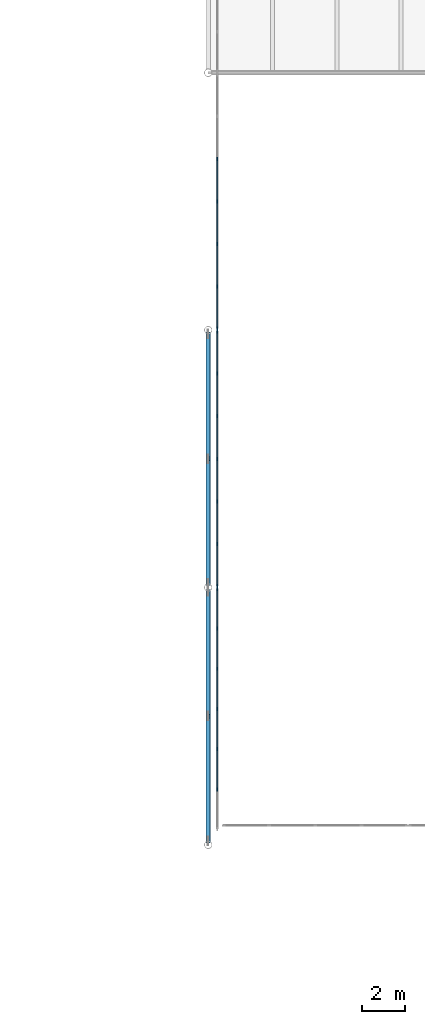
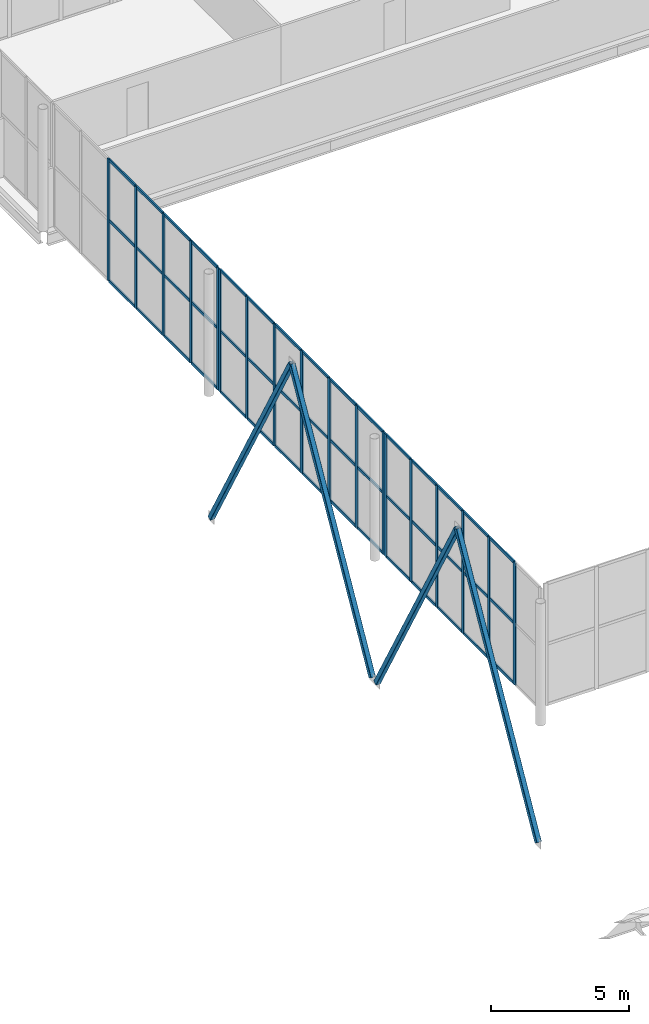
# One storey, part 77 of 170: 67 members, 3 elements without a shape of their own.
"""IFC4 building model written with IfcOpenShell, lengths in metres."""

from ifc_helpers import new_model, si_unit, direction, frame, origin, origin_2d, place, context, subcontext, project, spatial, rectangle, hollow_rectangle, extrude, material, layer, layer_set, material_profile, profile_set, type_object, element, aggregate, save


model = new_model("IFC4")

# Units and contexts
model_context = context("Model", 3, precision=1e-05, world=origin(), true_north=direction((0.0, 1.0)))
body_context = subcontext(model_context, "Body", "Model", "MODEL_VIEW")
ifc_project = project(units=[si_unit("LENGTHUNIT", "METRE"), si_unit("AREAUNIT", "SQUARE_METRE"), si_unit("VOLUMEUNIT", "CUBIC_METRE"), si_unit("PLANEANGLEUNIT", "RADIAN"), si_unit("MASSUNIT", "GRAM", prefix="KILO")], contexts=[model_context])

# Site, building, storey
site_placement = place(None, origin())
site = spatial("IfcSite", under=ifc_project, at=site_placement, CompositionType="ELEMENT")
building_placement = place(site_placement, origin())
building = spatial("IfcBuilding", under=site, at=building_placement, Name="Ravi Spectrum Wholesale Market", CompositionType="ELEMENT")
storey_placement = place(building_placement, frame((0.0, 0.0, 5.39990234375)))
storey = spatial("IfcBuildingStorey", under=building, at=storey_placement, Name="L01", CompositionType="ELEMENT", Elevation=5.39990234375)

# Curtain wall, members
ifc_material_1 = material(Name="Aluminium 6063-T6", Category="aluminium")
ifc_layer = layer(ifc_material_1, 0.14990234375)
ifc_layer_set = layer_set([ifc_layer], Name="Aluminium 6063-T6")
curtain_wall_type = type_object("IfcCurtainWallType", Name="Curtain wall 150", PredefinedType="NOTDEFINED", material=ifc_layer_set)
curtain_wall_1_placement = place(storey_placement, origin())
curtain_wall_1 = element("IfcCurtainWall", 1, at=curtain_wall_1_placement, inside=storey, type_object=curtain_wall_type, Name="H3-CW-L01-001", PredefinedType="NOTDEFINED")
ifc_material_2 = material(Name="Aluminium 6063-T6", Category="aluminium")
ifc_material_profile_1 = material_profile(ifc_material_2, rectangle(XDim=0.06005859375, YDim=0.159912109375, at=origin_2d()))
ifc_profile_set_1 = profile_set([ifc_material_profile_1], Name="Aluminium 6063-T6")
member_type_1 = type_object("IfcMemberType", Name="Mullion 60 x 160", PredefinedType="MULLION", material=ifc_profile_set_1)
member_1_placement = place(storey_placement, frame((162.427734375, 140.5849609375, 0.0), z_axis=(0.0, 0.0, 1.0), x_axis=(-1.0, 0.0, 0.0)))
member_1 = element("IfcMember", 2, at=member_1_placement, type_object=member_type_1, Name="H3-CW-L01-001 mullion 2", PredefinedType="MULLION", context=body_context, shape_type="SweptSolid", body=[
    extrude(rectangle(XDim=0.06005859375, YDim=0.159912109375, at=origin_2d()), origin(), (0.0, 0.0, 1.0), 5.400146484375),
])
member_2_placement = place(storey_placement, frame((162.427734375, 142.4599609375, 0.0), z_axis=(0.0, 0.0, 1.0), x_axis=(-1.0, 0.0, 0.0)))
member_2 = element("IfcMember", 3, at=member_2_placement, type_object=member_type_1, Name="H3-CW-L01-001 mullion 3", PredefinedType="MULLION", context=body_context, shape_type="SweptSolid", body=[
    extrude(rectangle(XDim=0.06005859375, YDim=0.159912109375, at=origin_2d()), origin(), (0.0, 0.0, 1.0), 5.400146484375),
])
member_3_placement = place(storey_placement, frame((162.427734375, 144.3349609375, 0.0), z_axis=(0.0, 0.0, 1.0), x_axis=(-1.0, 0.0, 0.0)))
member_3 = element("IfcMember", 4, at=member_3_placement, type_object=member_type_1, Name="H3-CW-L01-001 mullion 4", PredefinedType="MULLION", context=body_context, shape_type="SweptSolid", body=[
    extrude(rectangle(XDim=0.06005859375, YDim=0.159912109375, at=origin_2d()), origin(), (0.0, 0.0, 1.0), 5.400146484375),
])
member_4_placement = place(storey_placement, frame((162.427734375, 146.2099609375, 0.0), z_axis=(0.0, 0.0, 1.0), x_axis=(-1.0, 0.0, 0.0)))
member_4 = element("IfcMember", 5, at=member_4_placement, type_object=member_type_1, Name="H3-CW-L01-001 mullion 5", PredefinedType="MULLION", context=body_context, shape_type="SweptSolid", body=[
    extrude(rectangle(XDim=0.06005859375, YDim=0.159912109375, at=origin_2d()), origin(), (0.0, 0.0, 1.0), 5.400146484375),
])
member_5_placement = place(storey_placement, frame((162.427734375, 148.0849609375, 0.0), z_axis=(0.0, 0.0, 1.0), x_axis=(-1.0, 0.0, 0.0)))
member_5 = element("IfcMember", 6, at=member_5_placement, type_object=member_type_1, Name="H3-CW-L01-001 mullion 6", PredefinedType="MULLION", context=body_context, shape_type="SweptSolid", body=[
    extrude(rectangle(XDim=0.06005859375, YDim=0.159912109375, at=origin_2d()), origin(), (0.0, 0.0, 1.0), 5.400146484375),
])
member_6_placement = place(storey_placement, frame((162.427734375, 149.929931640625, 0.0), z_axis=(0.0, 0.0, 1.0), x_axis=(-1.0, 0.0, 0.0)))
member_6 = element("IfcMember", 7, at=member_6_placement, type_object=member_type_1, Name="H3-CW-L01-001 mullion 7", PredefinedType="MULLION", context=body_context, shape_type="SweptSolid", body=[
    extrude(rectangle(XDim=0.06005859375, YDim=0.159912109375, at=origin_2d()), origin(), (0.0, 0.0, 1.0), 5.400146484375),
])

curtain_wall_2_placement = place(storey_placement, origin())
curtain_wall_2 = element("IfcCurtainWall", 8, at=curtain_wall_2_placement, inside=storey, type_object=curtain_wall_type, Name="H3-CW-L01-002", PredefinedType="NOTDEFINED")
member_7_placement = place(storey_placement, frame((162.427734375, 150.070068359375, 0.0), z_axis=(0.0, 0.0, 1.0), x_axis=(-1.0, 0.0, 0.0)))
member_7 = element("IfcMember", 9, at=member_7_placement, type_object=member_type_1, Name="H3-CW-L01-002 mullion 1", PredefinedType="MULLION", context=body_context, shape_type="SweptSolid", body=[
    extrude(rectangle(XDim=0.06005859375, YDim=0.159912109375, at=origin_2d()), origin(), (0.0, 0.0, 1.0), 5.400146484375),
])
member_8_placement = place(storey_placement, frame((162.427734375, 152.026611328125, 0.0), z_axis=(0.0, 0.0, 1.0), x_axis=(-1.0, 0.0, 0.0)))
member_8 = element("IfcMember", 10, at=member_8_placement, type_object=member_type_1, Name="H3-CW-L01-002 mullion 2", PredefinedType="MULLION", context=body_context, shape_type="SweptSolid", body=[
    extrude(rectangle(XDim=0.06005859375, YDim=0.159912109375, at=origin_2d()), origin(), (0.0, 0.0, 1.0), 5.400146484375),
])
member_9_placement = place(storey_placement, frame((162.427734375, 154.013427734375, 0.0), z_axis=(0.0, 0.0, 1.0), x_axis=(-1.0, 0.0, 0.0)))
member_9 = element("IfcMember", 11, at=member_9_placement, type_object=member_type_1, Name="H3-CW-L01-002 mullion 3", PredefinedType="MULLION", context=body_context, shape_type="SweptSolid", body=[
    extrude(rectangle(XDim=0.06005859375, YDim=0.159912109375, at=origin_2d()), origin(), (0.0, 0.0, 1.0), 5.400146484375),
])
member_10_placement = place(storey_placement, frame((162.427734375, 156.0, 0.0), z_axis=(0.0, 0.0, 1.0), x_axis=(-1.0, 0.0, 0.0)))
member_10 = element("IfcMember", 12, at=member_10_placement, type_object=member_type_1, Name="H3-CW-L01-002 mullion 4", PredefinedType="MULLION", context=body_context, shape_type="SweptSolid", body=[
    extrude(rectangle(XDim=0.06005859375, YDim=0.159912109375, at=origin_2d()), origin(), (0.0, 0.0, 1.0), 5.400146484375),
])
member_11_placement = place(storey_placement, frame((162.427734375, 157.986572265625, 0.0), z_axis=(0.0, 0.0, 1.0), x_axis=(-1.0, 0.0, 0.0)))
member_11 = element("IfcMember", 13, at=member_11_placement, type_object=member_type_1, Name="H3-CW-L01-002 mullion 5", PredefinedType="MULLION", context=body_context, shape_type="SweptSolid", body=[
    extrude(rectangle(XDim=0.06005859375, YDim=0.159912109375, at=origin_2d()), origin(), (0.0, 0.0, 1.0), 5.400146484375),
])
member_12_placement = place(storey_placement, frame((162.427734375, 159.973388671875, 0.0), z_axis=(0.0, 0.0, 1.0), x_axis=(-1.0, 0.0, 0.0)))
member_12 = element("IfcMember", 14, at=member_12_placement, type_object=member_type_1, Name="H3-CW-L01-002 mullion 6", PredefinedType="MULLION", context=body_context, shape_type="SweptSolid", body=[
    extrude(rectangle(XDim=0.06005859375, YDim=0.159912109375, at=origin_2d()), origin(), (0.0, 0.0, 1.0), 5.400146484375),
])
member_13_placement = place(storey_placement, frame((162.427734375, 161.929931640625, 0.0), z_axis=(0.0, 0.0, 1.0), x_axis=(-1.0, 0.0, 0.0)))
member_13 = element("IfcMember", 15, at=member_13_placement, type_object=member_type_1, Name="H3-CW-L01-002 mullion 7", PredefinedType="MULLION", context=body_context, shape_type="SweptSolid", body=[
    extrude(rectangle(XDim=0.06005859375, YDim=0.159912109375, at=origin_2d()), origin(), (0.0, 0.0, 1.0), 5.400146484375),
])

curtain_wall_3_placement = place(storey_placement, origin())
curtain_wall_3 = element("IfcCurtainWall", 16, at=curtain_wall_3_placement, inside=storey, type_object=curtain_wall_type, Name="H3-CW-L01-003", PredefinedType="NOTDEFINED")
member_14_placement = place(storey_placement, frame((162.427734375, 162.070068359375, 0.0), z_axis=(0.0, 0.0, 1.0), x_axis=(-1.0, 0.0, 0.0)))
member_14 = element("IfcMember", 17, at=member_14_placement, type_object=member_type_1, Name="H3-CW-L01-003 mullion 1", PredefinedType="MULLION", context=body_context, shape_type="SweptSolid", body=[
    extrude(rectangle(XDim=0.06005859375, YDim=0.159912109375, at=origin_2d()), origin(), (0.0, 0.0, 1.0), 5.400146484375),
])
member_15_placement = place(storey_placement, frame((162.427734375, 164.026611328125, 0.0), z_axis=(0.0, 0.0, 1.0), x_axis=(-1.0, 0.0, 0.0)))
member_15 = element("IfcMember", 18, at=member_15_placement, type_object=member_type_1, Name="H3-CW-L01-003 mullion 2", PredefinedType="MULLION", context=body_context, shape_type="SweptSolid", body=[
    extrude(rectangle(XDim=0.06005859375, YDim=0.159912109375, at=origin_2d()), origin(), (0.0, 0.0, 1.0), 5.400146484375),
])
member_16_placement = place(storey_placement, frame((162.427734375, 166.013427734375, 0.0), z_axis=(0.0, 0.0, 1.0), x_axis=(-1.0, 0.0, 0.0)))
member_16 = element("IfcMember", 19, at=member_16_placement, type_object=member_type_1, Name="H3-CW-L01-003 mullion 3", PredefinedType="MULLION", context=body_context, shape_type="SweptSolid", body=[
    extrude(rectangle(XDim=0.06005859375, YDim=0.159912109375, at=origin_2d()), origin(), (0.0, 0.0, 1.0), 5.400146484375),
])
member_17_placement = place(storey_placement, frame((162.427734375, 168.0, 0.0), z_axis=(0.0, 0.0, 1.0), x_axis=(-1.0, 0.0, 0.0)))
member_17 = element("IfcMember", 20, at=member_17_placement, type_object=member_type_1, Name="H3-CW-L01-003 mullion 4", PredefinedType="MULLION", context=body_context, shape_type="SweptSolid", body=[
    extrude(rectangle(XDim=0.06005859375, YDim=0.159912109375, at=origin_2d()), origin(), (0.0, 0.0, 1.0), 5.400146484375),
])
member_18_placement = place(storey_placement, frame((162.427734375, 169.986572265625, 0.0), z_axis=(0.0, 0.0, 1.0), x_axis=(-1.0, 0.0, 0.0)))
member_18 = element("IfcMember", 21, at=member_18_placement, type_object=member_type_1, Name="H3-CW-L01-003 mullion 5", PredefinedType="MULLION", context=body_context, shape_type="SweptSolid", body=[
    extrude(rectangle(XDim=0.06005859375, YDim=0.159912109375, at=origin_2d()), origin(), (0.0, 0.0, 1.0), 5.400146484375),
])

# Members
ifc_material_3 = material(Name="Steel S355", Category="steel")
ifc_material_profile_2 = material_profile(ifc_material_3, hollow_rectangle(XDim=0.199951171875, YDim=0.199951171875, WallThickness=0.008056640625, InnerFilletRadius=0.008056640625, OuterFilletRadius=0.01611328125, at=origin_2d()))
ifc_profile_set_2 = profile_set([ifc_material_profile_2], Name="Steel S355")
member_type_2 = type_object("IfcMemberType", Name="SHS 200x200x8 brace", PredefinedType="BRACE", material=ifc_profile_set_2)
for number, where, z_axis, x_axis, name in (
    (22, (162.0, 138.177734375, -5.3505859375), (0.0, 0.491162536596, 0.871067943759), (-1.0, 0.0, 0.0), "H3-MB-L01-001"),
    (23, (162.0, 149.822265625, -5.3505859375), (0.0, -0.491162536596, 0.871067943759), (1.0, 0.0, 0.0), "H3-MB-L01-002"),
    (24, (162.0, 150.177734375, -5.3505859375), (0.0, 0.491162536596, 0.871067943759), (-1.0, 0.0, 0.0), "H3-MB-L01-003"),
    (25, (162.0, 161.822265625, -5.3505859375), (0.0, -0.491162536596, 0.871067943759), (1.0, 0.0, 0.0), "H3-MB-L01-004"),
):
    element("IfcMember", number, at=place(storey_placement, frame(where, z_axis=z_axis, x_axis=x_axis)), inside=storey, type_object=member_type_2, Name=name, PredefinedType="BRACE", context=body_context, shape_type="SweptSolid", body=[
        extrude(hollow_rectangle(XDim=0.199951171875, YDim=0.199951171875, WallThickness=0.008056640625, InnerFilletRadius=0.008056640625, OuterFilletRadius=0.01611328125, at=origin_2d()), origin(), (0.0, 0.0, 1.0), 11.85400390625),
    ])

# Member
ifc_material_4 = material(Name="Aluminium 6063-T6", Category="aluminium")
ifc_material_profile_3 = material_profile(ifc_material_4, rectangle(XDim=0.06005859375, YDim=0.1201171875, at=origin_2d()))
ifc_profile_set_3 = profile_set([ifc_material_profile_3], Name="Aluminium 6063-T6")
member_type_3 = type_object("IfcMemberType", Name="Transom 60 x 120", PredefinedType="USERDEFINED", material=ifc_profile_set_3)
member_19_placement = place(storey_placement, frame((162.427734375, 140.614990234375, 0.030029296875), z_axis=(0.0, 1.0, 0.0), x_axis=(-1.0, 0.0, 0.0)))
member_19 = element("IfcMember", 26, at=member_19_placement, type_object=member_type_3, Name="H3-CW-L01-001 transom 2.1", ObjectType="TRANSOM", PredefinedType="USERDEFINED", context=body_context, shape_type="SweptSolid", body=[
    extrude(rectangle(XDim=0.06005859375, YDim=0.1201171875, at=origin_2d()), origin(), (0.0, 0.0, 1.0), 1.81494140625),
])

member_20_placement = place(storey_placement, frame((162.427734375, 140.614990234375, 2.7001953125), z_axis=(0.0, 1.0, 0.0), x_axis=(-1.0, 0.0, 0.0)))
member_20 = element("IfcMember", 27, at=member_20_placement, type_object=member_type_3, Name="H3-CW-L01-001 transom 2.2", ObjectType="TRANSOM", PredefinedType="USERDEFINED", context=body_context, shape_type="SweptSolid", body=[
    extrude(rectangle(XDim=0.06005859375, YDim=0.1201171875, at=origin_2d()), origin(), (0.0, 0.0, 1.0), 1.81494140625),
])

member_21_placement = place(storey_placement, frame((162.427734375, 140.614990234375, 5.3701171875), z_axis=(0.0, 1.0, 0.0), x_axis=(-1.0, 0.0, 0.0)))
member_21 = element("IfcMember", 28, at=member_21_placement, type_object=member_type_3, Name="H3-CW-L01-001 transom 2.3", ObjectType="TRANSOM", PredefinedType="USERDEFINED", context=body_context, shape_type="SweptSolid", body=[
    extrude(rectangle(XDim=0.06005859375, YDim=0.1201171875, at=origin_2d()), origin(), (0.0, 0.0, 1.0), 1.81494140625),
])

member_22_placement = place(storey_placement, frame((162.427734375, 142.489990234375, 0.030029296875), z_axis=(0.0, 1.0, 0.0), x_axis=(-1.0, 0.0, 0.0)))
member_22 = element("IfcMember", 29, at=member_22_placement, type_object=member_type_3, Name="H3-CW-L01-001 transom 3.1", ObjectType="TRANSOM", PredefinedType="USERDEFINED", context=body_context, shape_type="SweptSolid", body=[
    extrude(rectangle(XDim=0.06005859375, YDim=0.1201171875, at=origin_2d()), origin(), (0.0, 0.0, 1.0), 1.81494140625),
])

member_23_placement = place(storey_placement, frame((162.427734375, 142.489990234375, 2.7001953125), z_axis=(0.0, 1.0, 0.0), x_axis=(-1.0, 0.0, 0.0)))
member_23 = element("IfcMember", 30, at=member_23_placement, type_object=member_type_3, Name="H3-CW-L01-001 transom 3.2", ObjectType="TRANSOM", PredefinedType="USERDEFINED", context=body_context, shape_type="SweptSolid", body=[
    extrude(rectangle(XDim=0.06005859375, YDim=0.1201171875, at=origin_2d()), origin(), (0.0, 0.0, 1.0), 1.81494140625),
])

member_24_placement = place(storey_placement, frame((162.427734375, 142.489990234375, 5.3701171875), z_axis=(0.0, 1.0, 0.0), x_axis=(-1.0, 0.0, 0.0)))
member_24 = element("IfcMember", 31, at=member_24_placement, type_object=member_type_3, Name="H3-CW-L01-001 transom 3.3", ObjectType="TRANSOM", PredefinedType="USERDEFINED", context=body_context, shape_type="SweptSolid", body=[
    extrude(rectangle(XDim=0.06005859375, YDim=0.1201171875, at=origin_2d()), origin(), (0.0, 0.0, 1.0), 1.81494140625),
])

member_25_placement = place(storey_placement, frame((162.427734375, 144.364990234375, 0.030029296875), z_axis=(0.0, 1.0, 0.0), x_axis=(-1.0, 0.0, 0.0)))
member_25 = element("IfcMember", 32, at=member_25_placement, type_object=member_type_3, Name="H3-CW-L01-001 transom 4.1", ObjectType="TRANSOM", PredefinedType="USERDEFINED", context=body_context, shape_type="SweptSolid", body=[
    extrude(rectangle(XDim=0.06005859375, YDim=0.1201171875, at=origin_2d()), origin(), (0.0, 0.0, 1.0), 1.81494140625),
])

member_26_placement = place(storey_placement, frame((162.427734375, 144.364990234375, 2.7001953125), z_axis=(0.0, 1.0, 0.0), x_axis=(-1.0, 0.0, 0.0)))
member_26 = element("IfcMember", 33, at=member_26_placement, type_object=member_type_3, Name="H3-CW-L01-001 transom 4.2", ObjectType="TRANSOM", PredefinedType="USERDEFINED", context=body_context, shape_type="SweptSolid", body=[
    extrude(rectangle(XDim=0.06005859375, YDim=0.1201171875, at=origin_2d()), origin(), (0.0, 0.0, 1.0), 1.81494140625),
])

member_27_placement = place(storey_placement, frame((162.427734375, 144.364990234375, 5.3701171875), z_axis=(0.0, 1.0, 0.0), x_axis=(-1.0, 0.0, 0.0)))
member_27 = element("IfcMember", 34, at=member_27_placement, type_object=member_type_3, Name="H3-CW-L01-001 transom 4.3", ObjectType="TRANSOM", PredefinedType="USERDEFINED", context=body_context, shape_type="SweptSolid", body=[
    extrude(rectangle(XDim=0.06005859375, YDim=0.1201171875, at=origin_2d()), origin(), (0.0, 0.0, 1.0), 1.81494140625),
])

member_28_placement = place(storey_placement, frame((162.427734375, 146.239990234375, 0.030029296875), z_axis=(0.0, 1.0, 0.0), x_axis=(-1.0, 0.0, 0.0)))
member_28 = element("IfcMember", 35, at=member_28_placement, type_object=member_type_3, Name="H3-CW-L01-001 transom 5.1", ObjectType="TRANSOM", PredefinedType="USERDEFINED", context=body_context, shape_type="SweptSolid", body=[
    extrude(rectangle(XDim=0.06005859375, YDim=0.1201171875, at=origin_2d()), origin(), (0.0, 0.0, 1.0), 1.81494140625),
])

member_29_placement = place(storey_placement, frame((162.427734375, 146.239990234375, 2.7001953125), z_axis=(0.0, 1.0, 0.0), x_axis=(-1.0, 0.0, 0.0)))
member_29 = element("IfcMember", 36, at=member_29_placement, type_object=member_type_3, Name="H3-CW-L01-001 transom 5.2", ObjectType="TRANSOM", PredefinedType="USERDEFINED", context=body_context, shape_type="SweptSolid", body=[
    extrude(rectangle(XDim=0.06005859375, YDim=0.1201171875, at=origin_2d()), origin(), (0.0, 0.0, 1.0), 1.81494140625),
])

member_30_placement = place(storey_placement, frame((162.427734375, 146.239990234375, 5.3701171875), z_axis=(0.0, 1.0, 0.0), x_axis=(-1.0, 0.0, 0.0)))
member_30 = element("IfcMember", 37, at=member_30_placement, type_object=member_type_3, Name="H3-CW-L01-001 transom 5.3", ObjectType="TRANSOM", PredefinedType="USERDEFINED", context=body_context, shape_type="SweptSolid", body=[
    extrude(rectangle(XDim=0.06005859375, YDim=0.1201171875, at=origin_2d()), origin(), (0.0, 0.0, 1.0), 1.81494140625),
])

member_31_placement = place(storey_placement, frame((162.427734375, 148.114990234375, 0.030029296875), z_axis=(0.0, 1.0, 0.0), x_axis=(-1.0, 0.0, 0.0)))
member_31 = element("IfcMember", 38, at=member_31_placement, type_object=member_type_3, Name="H3-CW-L01-001 transom 6.1", ObjectType="TRANSOM", PredefinedType="USERDEFINED", context=body_context, shape_type="SweptSolid", body=[
    extrude(rectangle(XDim=0.06005859375, YDim=0.1201171875, at=origin_2d()), origin(), (0.0, 0.0, 1.0), 1.784912109375),
])

member_32_placement = place(storey_placement, frame((162.427734375, 148.114990234375, 2.7001953125), z_axis=(0.0, 1.0, 0.0), x_axis=(-1.0, 0.0, 0.0)))
member_32 = element("IfcMember", 39, at=member_32_placement, type_object=member_type_3, Name="H3-CW-L01-001 transom 6.2", ObjectType="TRANSOM", PredefinedType="USERDEFINED", context=body_context, shape_type="SweptSolid", body=[
    extrude(rectangle(XDim=0.06005859375, YDim=0.1201171875, at=origin_2d()), origin(), (0.0, 0.0, 1.0), 1.784912109375),
])

member_33_placement = place(storey_placement, frame((162.427734375, 148.114990234375, 5.3701171875), z_axis=(0.0, 1.0, 0.0), x_axis=(-1.0, 0.0, 0.0)))
member_33 = element("IfcMember", 40, at=member_33_placement, type_object=member_type_3, Name="H3-CW-L01-001 transom 6.3", ObjectType="TRANSOM", PredefinedType="USERDEFINED", context=body_context, shape_type="SweptSolid", body=[
    extrude(rectangle(XDim=0.06005859375, YDim=0.1201171875, at=origin_2d()), origin(), (0.0, 0.0, 1.0), 1.784912109375),
])

aggregate(curtain_wall_1, [member_1, member_2, member_3, member_4, member_5, member_6, member_19, member_20, member_21, member_22, member_23, member_24, member_25, member_26, member_27, member_28, member_29, member_30, member_31, member_32, member_33])

member_34_placement = place(storey_placement, frame((162.427734375, 150.10009765625, 0.030029296875), z_axis=(0.0, 1.0, 0.0), x_axis=(-1.0, 0.0, 0.0)))
member_34 = element("IfcMember", 41, at=member_34_placement, type_object=member_type_3, Name="H3-CW-L01-002 transom 1.1", ObjectType="TRANSOM", PredefinedType="USERDEFINED", context=body_context, shape_type="SweptSolid", body=[
    extrude(rectangle(XDim=0.06005859375, YDim=0.1201171875, at=origin_2d()), origin(), (0.0, 0.0, 1.0), 1.896484375),
])

member_35_placement = place(storey_placement, frame((162.427734375, 150.10009765625, 2.7001953125), z_axis=(0.0, 1.0, 0.0), x_axis=(-1.0, 0.0, 0.0)))
member_35 = element("IfcMember", 42, at=member_35_placement, type_object=member_type_3, Name="H3-CW-L01-002 transom 1.2", ObjectType="TRANSOM", PredefinedType="USERDEFINED", context=body_context, shape_type="SweptSolid", body=[
    extrude(rectangle(XDim=0.06005859375, YDim=0.1201171875, at=origin_2d()), origin(), (0.0, 0.0, 1.0), 1.896484375),
])

member_36_placement = place(storey_placement, frame((162.427734375, 150.10009765625, 5.3701171875), z_axis=(0.0, 1.0, 0.0), x_axis=(-1.0, 0.0, 0.0)))
member_36 = element("IfcMember", 43, at=member_36_placement, type_object=member_type_3, Name="H3-CW-L01-002 transom 1.3", ObjectType="TRANSOM", PredefinedType="USERDEFINED", context=body_context, shape_type="SweptSolid", body=[
    extrude(rectangle(XDim=0.06005859375, YDim=0.1201171875, at=origin_2d()), origin(), (0.0, 0.0, 1.0), 1.896484375),
])

member_37_placement = place(storey_placement, frame((162.427734375, 152.056640625, 0.030029296875), z_axis=(0.0, 1.0, 0.0), x_axis=(-1.0, 0.0, 0.0)))
member_37 = element("IfcMember", 44, at=member_37_placement, type_object=member_type_3, Name="H3-CW-L01-002 transom 2.1", ObjectType="TRANSOM", PredefinedType="USERDEFINED", context=body_context, shape_type="SweptSolid", body=[
    extrude(rectangle(XDim=0.06005859375, YDim=0.1201171875, at=origin_2d()), origin(), (0.0, 0.0, 1.0), 1.9267578125),
])

member_38_placement = place(storey_placement, frame((162.427734375, 152.056640625, 2.7001953125), z_axis=(0.0, 1.0, 0.0), x_axis=(-1.0, 0.0, 0.0)))
member_38 = element("IfcMember", 45, at=member_38_placement, type_object=member_type_3, Name="H3-CW-L01-002 transom 2.2", ObjectType="TRANSOM", PredefinedType="USERDEFINED", context=body_context, shape_type="SweptSolid", body=[
    extrude(rectangle(XDim=0.06005859375, YDim=0.1201171875, at=origin_2d()), origin(), (0.0, 0.0, 1.0), 1.9267578125),
])

member_39_placement = place(storey_placement, frame((162.427734375, 152.056640625, 5.3701171875), z_axis=(0.0, 1.0, 0.0), x_axis=(-1.0, 0.0, 0.0)))
member_39 = element("IfcMember", 46, at=member_39_placement, type_object=member_type_3, Name="H3-CW-L01-002 transom 2.3", ObjectType="TRANSOM", PredefinedType="USERDEFINED", context=body_context, shape_type="SweptSolid", body=[
    extrude(rectangle(XDim=0.06005859375, YDim=0.1201171875, at=origin_2d()), origin(), (0.0, 0.0, 1.0), 1.9267578125),
])

member_40_placement = place(storey_placement, frame((162.427734375, 154.043212890625, 0.030029296875), z_axis=(0.0, 1.0, 0.0), x_axis=(-1.0, 0.0, 0.0)))
member_40 = element("IfcMember", 47, at=member_40_placement, type_object=member_type_3, Name="H3-CW-L01-002 transom 3.1", ObjectType="TRANSOM", PredefinedType="USERDEFINED", context=body_context, shape_type="SweptSolid", body=[
    extrude(rectangle(XDim=0.06005859375, YDim=0.1201171875, at=origin_2d()), origin(), (0.0, 0.0, 1.0), 1.9267578125),
])

member_41_placement = place(storey_placement, frame((162.427734375, 154.043212890625, 2.7001953125), z_axis=(0.0, 1.0, 0.0), x_axis=(-1.0, 0.0, 0.0)))
member_41 = element("IfcMember", 48, at=member_41_placement, type_object=member_type_3, Name="H3-CW-L01-002 transom 3.2", ObjectType="TRANSOM", PredefinedType="USERDEFINED", context=body_context, shape_type="SweptSolid", body=[
    extrude(rectangle(XDim=0.06005859375, YDim=0.1201171875, at=origin_2d()), origin(), (0.0, 0.0, 1.0), 1.9267578125),
])

member_42_placement = place(storey_placement, frame((162.427734375, 154.043212890625, 5.3701171875), z_axis=(0.0, 1.0, 0.0), x_axis=(-1.0, 0.0, 0.0)))
member_42 = element("IfcMember", 49, at=member_42_placement, type_object=member_type_3, Name="H3-CW-L01-002 transom 3.3", ObjectType="TRANSOM", PredefinedType="USERDEFINED", context=body_context, shape_type="SweptSolid", body=[
    extrude(rectangle(XDim=0.06005859375, YDim=0.1201171875, at=origin_2d()), origin(), (0.0, 0.0, 1.0), 1.9267578125),
])

member_43_placement = place(storey_placement, frame((162.427734375, 156.030029296875, 0.030029296875), z_axis=(0.0, 1.0, 0.0), x_axis=(-1.0, 0.0, 0.0)))
member_43 = element("IfcMember", 50, at=member_43_placement, type_object=member_type_3, Name="H3-CW-L01-002 transom 4.1", ObjectType="TRANSOM", PredefinedType="USERDEFINED", context=body_context, shape_type="SweptSolid", body=[
    extrude(rectangle(XDim=0.06005859375, YDim=0.1201171875, at=origin_2d()), origin(), (0.0, 0.0, 1.0), 1.9267578125),
])

member_44_placement = place(storey_placement, frame((162.427734375, 156.030029296875, 2.7001953125), z_axis=(0.0, 1.0, 0.0), x_axis=(-1.0, 0.0, 0.0)))
member_44 = element("IfcMember", 51, at=member_44_placement, type_object=member_type_3, Name="H3-CW-L01-002 transom 4.2", ObjectType="TRANSOM", PredefinedType="USERDEFINED", context=body_context, shape_type="SweptSolid", body=[
    extrude(rectangle(XDim=0.06005859375, YDim=0.1201171875, at=origin_2d()), origin(), (0.0, 0.0, 1.0), 1.9267578125),
])

member_45_placement = place(storey_placement, frame((162.427734375, 156.030029296875, 5.3701171875), z_axis=(0.0, 1.0, 0.0), x_axis=(-1.0, 0.0, 0.0)))
member_45 = element("IfcMember", 52, at=member_45_placement, type_object=member_type_3, Name="H3-CW-L01-002 transom 4.3", ObjectType="TRANSOM", PredefinedType="USERDEFINED", context=body_context, shape_type="SweptSolid", body=[
    extrude(rectangle(XDim=0.06005859375, YDim=0.1201171875, at=origin_2d()), origin(), (0.0, 0.0, 1.0), 1.9267578125),
])

member_46_placement = place(storey_placement, frame((162.427734375, 158.0166015625, 0.030029296875), z_axis=(0.0, 1.0, 0.0), x_axis=(-1.0, 0.0, 0.0)))
member_46 = element("IfcMember", 53, at=member_46_placement, type_object=member_type_3, Name="H3-CW-L01-002 transom 5.1", ObjectType="TRANSOM", PredefinedType="USERDEFINED", context=body_context, shape_type="SweptSolid", body=[
    extrude(rectangle(XDim=0.06005859375, YDim=0.1201171875, at=origin_2d()), origin(), (0.0, 0.0, 1.0), 1.9267578125),
])

member_47_placement = place(storey_placement, frame((162.427734375, 158.0166015625, 2.7001953125), z_axis=(0.0, 1.0, 0.0), x_axis=(-1.0, 0.0, 0.0)))
member_47 = element("IfcMember", 54, at=member_47_placement, type_object=member_type_3, Name="H3-CW-L01-002 transom 5.2", ObjectType="TRANSOM", PredefinedType="USERDEFINED", context=body_context, shape_type="SweptSolid", body=[
    extrude(rectangle(XDim=0.06005859375, YDim=0.1201171875, at=origin_2d()), origin(), (0.0, 0.0, 1.0), 1.9267578125),
])

member_48_placement = place(storey_placement, frame((162.427734375, 158.0166015625, 5.3701171875), z_axis=(0.0, 1.0, 0.0), x_axis=(-1.0, 0.0, 0.0)))
member_48 = element("IfcMember", 55, at=member_48_placement, type_object=member_type_3, Name="H3-CW-L01-002 transom 5.3", ObjectType="TRANSOM", PredefinedType="USERDEFINED", context=body_context, shape_type="SweptSolid", body=[
    extrude(rectangle(XDim=0.06005859375, YDim=0.1201171875, at=origin_2d()), origin(), (0.0, 0.0, 1.0), 1.9267578125),
])

member_49_placement = place(storey_placement, frame((162.427734375, 160.00341796875, 0.030029296875), z_axis=(0.0, 1.0, 0.0), x_axis=(-1.0, 0.0, 0.0)))
member_49 = element("IfcMember", 56, at=member_49_placement, type_object=member_type_3, Name="H3-CW-L01-002 transom 6.1", ObjectType="TRANSOM", PredefinedType="USERDEFINED", context=body_context, shape_type="SweptSolid", body=[
    extrude(rectangle(XDim=0.06005859375, YDim=0.1201171875, at=origin_2d()), origin(), (0.0, 0.0, 1.0), 1.896484375),
])

member_50_placement = place(storey_placement, frame((162.427734375, 160.00341796875, 2.7001953125), z_axis=(0.0, 1.0, 0.0), x_axis=(-1.0, 0.0, 0.0)))
member_50 = element("IfcMember", 57, at=member_50_placement, type_object=member_type_3, Name="H3-CW-L01-002 transom 6.2", ObjectType="TRANSOM", PredefinedType="USERDEFINED", context=body_context, shape_type="SweptSolid", body=[
    extrude(rectangle(XDim=0.06005859375, YDim=0.1201171875, at=origin_2d()), origin(), (0.0, 0.0, 1.0), 1.896484375),
])

member_51_placement = place(storey_placement, frame((162.427734375, 160.00341796875, 5.3701171875), z_axis=(0.0, 1.0, 0.0), x_axis=(-1.0, 0.0, 0.0)))
member_51 = element("IfcMember", 58, at=member_51_placement, type_object=member_type_3, Name="H3-CW-L01-002 transom 6.3", ObjectType="TRANSOM", PredefinedType="USERDEFINED", context=body_context, shape_type="SweptSolid", body=[
    extrude(rectangle(XDim=0.06005859375, YDim=0.1201171875, at=origin_2d()), origin(), (0.0, 0.0, 1.0), 1.896484375),
])

aggregate(curtain_wall_2, [member_7, member_8, member_9, member_10, member_11, member_12, member_13, member_34, member_35, member_36, member_37, member_38, member_39, member_40, member_41, member_42, member_43, member_44, member_45, member_46, member_47, member_48, member_49, member_50, member_51])

member_52_placement = place(storey_placement, frame((162.427734375, 162.10009765625, 0.030029296875), z_axis=(0.0, 1.0, 0.0), x_axis=(-1.0, 0.0, 0.0)))
member_52 = element("IfcMember", 59, at=member_52_placement, type_object=member_type_3, Name="H3-CW-L01-003 transom 1.1", ObjectType="TRANSOM", PredefinedType="USERDEFINED", context=body_context, shape_type="SweptSolid", body=[
    extrude(rectangle(XDim=0.06005859375, YDim=0.1201171875, at=origin_2d()), origin(), (0.0, 0.0, 1.0), 1.896484375),
])

member_53_placement = place(storey_placement, frame((162.427734375, 162.10009765625, 2.7001953125), z_axis=(0.0, 1.0, 0.0), x_axis=(-1.0, 0.0, 0.0)))
member_53 = element("IfcMember", 60, at=member_53_placement, type_object=member_type_3, Name="H3-CW-L01-003 transom 1.2", ObjectType="TRANSOM", PredefinedType="USERDEFINED", context=body_context, shape_type="SweptSolid", body=[
    extrude(rectangle(XDim=0.06005859375, YDim=0.1201171875, at=origin_2d()), origin(), (0.0, 0.0, 1.0), 1.896484375),
])

member_54_placement = place(storey_placement, frame((162.427734375, 162.10009765625, 5.3701171875), z_axis=(0.0, 1.0, 0.0), x_axis=(-1.0, 0.0, 0.0)))
member_54 = element("IfcMember", 61, at=member_54_placement, type_object=member_type_3, Name="H3-CW-L01-003 transom 1.3", ObjectType="TRANSOM", PredefinedType="USERDEFINED", context=body_context, shape_type="SweptSolid", body=[
    extrude(rectangle(XDim=0.06005859375, YDim=0.1201171875, at=origin_2d()), origin(), (0.0, 0.0, 1.0), 1.896484375),
])

member_55_placement = place(storey_placement, frame((162.427734375, 164.056640625, 0.030029296875), z_axis=(0.0, 1.0, 0.0), x_axis=(-1.0, 0.0, 0.0)))
member_55 = element("IfcMember", 62, at=member_55_placement, type_object=member_type_3, Name="H3-CW-L01-003 transom 2.1", ObjectType="TRANSOM", PredefinedType="USERDEFINED", context=body_context, shape_type="SweptSolid", body=[
    extrude(rectangle(XDim=0.06005859375, YDim=0.1201171875, at=origin_2d()), origin(), (0.0, 0.0, 1.0), 1.9267578125),
])

member_56_placement = place(storey_placement, frame((162.427734375, 164.056640625, 2.7001953125), z_axis=(0.0, 1.0, 0.0), x_axis=(-1.0, 0.0, 0.0)))
member_56 = element("IfcMember", 63, at=member_56_placement, type_object=member_type_3, Name="H3-CW-L01-003 transom 2.2", ObjectType="TRANSOM", PredefinedType="USERDEFINED", context=body_context, shape_type="SweptSolid", body=[
    extrude(rectangle(XDim=0.06005859375, YDim=0.1201171875, at=origin_2d()), origin(), (0.0, 0.0, 1.0), 1.9267578125),
])

member_57_placement = place(storey_placement, frame((162.427734375, 164.056640625, 5.3701171875), z_axis=(0.0, 1.0, 0.0), x_axis=(-1.0, 0.0, 0.0)))
member_57 = element("IfcMember", 64, at=member_57_placement, type_object=member_type_3, Name="H3-CW-L01-003 transom 2.3", ObjectType="TRANSOM", PredefinedType="USERDEFINED", context=body_context, shape_type="SweptSolid", body=[
    extrude(rectangle(XDim=0.06005859375, YDim=0.1201171875, at=origin_2d()), origin(), (0.0, 0.0, 1.0), 1.9267578125),
])

member_58_placement = place(storey_placement, frame((162.427734375, 166.043212890625, 0.030029296875), z_axis=(0.0, 1.0, 0.0), x_axis=(-1.0, 0.0, 0.0)))
member_58 = element("IfcMember", 65, at=member_58_placement, type_object=member_type_3, Name="H3-CW-L01-003 transom 3.1", ObjectType="TRANSOM", PredefinedType="USERDEFINED", context=body_context, shape_type="SweptSolid", body=[
    extrude(rectangle(XDim=0.06005859375, YDim=0.1201171875, at=origin_2d()), origin(), (0.0, 0.0, 1.0), 1.9267578125),
])

member_59_placement = place(storey_placement, frame((162.427734375, 166.043212890625, 2.7001953125), z_axis=(0.0, 1.0, 0.0), x_axis=(-1.0, 0.0, 0.0)))
member_59 = element("IfcMember", 66, at=member_59_placement, type_object=member_type_3, Name="H3-CW-L01-003 transom 3.2", ObjectType="TRANSOM", PredefinedType="USERDEFINED", context=body_context, shape_type="SweptSolid", body=[
    extrude(rectangle(XDim=0.06005859375, YDim=0.1201171875, at=origin_2d()), origin(), (0.0, 0.0, 1.0), 1.9267578125),
])

member_60_placement = place(storey_placement, frame((162.427734375, 166.043212890625, 5.3701171875), z_axis=(0.0, 1.0, 0.0), x_axis=(-1.0, 0.0, 0.0)))
member_60 = element("IfcMember", 67, at=member_60_placement, type_object=member_type_3, Name="H3-CW-L01-003 transom 3.3", ObjectType="TRANSOM", PredefinedType="USERDEFINED", context=body_context, shape_type="SweptSolid", body=[
    extrude(rectangle(XDim=0.06005859375, YDim=0.1201171875, at=origin_2d()), origin(), (0.0, 0.0, 1.0), 1.9267578125),
])

member_61_placement = place(storey_placement, frame((162.427734375, 168.030029296875, 0.030029296875), z_axis=(0.0, 1.0, 0.0), x_axis=(-1.0, 0.0, 0.0)))
member_61 = element("IfcMember", 68, at=member_61_placement, type_object=member_type_3, Name="H3-CW-L01-003 transom 4.1", ObjectType="TRANSOM", PredefinedType="USERDEFINED", context=body_context, shape_type="SweptSolid", body=[
    extrude(rectangle(XDim=0.06005859375, YDim=0.1201171875, at=origin_2d()), origin(), (0.0, 0.0, 1.0), 1.9267578125),
])

member_62_placement = place(storey_placement, frame((162.427734375, 168.030029296875, 2.7001953125), z_axis=(0.0, 1.0, 0.0), x_axis=(-1.0, 0.0, 0.0)))
member_62 = element("IfcMember", 69, at=member_62_placement, type_object=member_type_3, Name="H3-CW-L01-003 transom 4.2", ObjectType="TRANSOM", PredefinedType="USERDEFINED", context=body_context, shape_type="SweptSolid", body=[
    extrude(rectangle(XDim=0.06005859375, YDim=0.1201171875, at=origin_2d()), origin(), (0.0, 0.0, 1.0), 1.9267578125),
])

member_63_placement = place(storey_placement, frame((162.427734375, 168.030029296875, 5.3701171875), z_axis=(0.0, 1.0, 0.0), x_axis=(-1.0, 0.0, 0.0)))
member_63 = element("IfcMember", 70, at=member_63_placement, type_object=member_type_3, Name="H3-CW-L01-003 transom 4.3", ObjectType="TRANSOM", PredefinedType="USERDEFINED", context=body_context, shape_type="SweptSolid", body=[
    extrude(rectangle(XDim=0.06005859375, YDim=0.1201171875, at=origin_2d()), origin(), (0.0, 0.0, 1.0), 1.9267578125),
])

aggregate(curtain_wall_3, [member_14, member_15, member_16, member_17, member_18, member_52, member_53, member_54, member_55, member_56, member_57, member_58, member_59, member_60, member_61, member_62, member_63])

save(model, "model.ifc")
